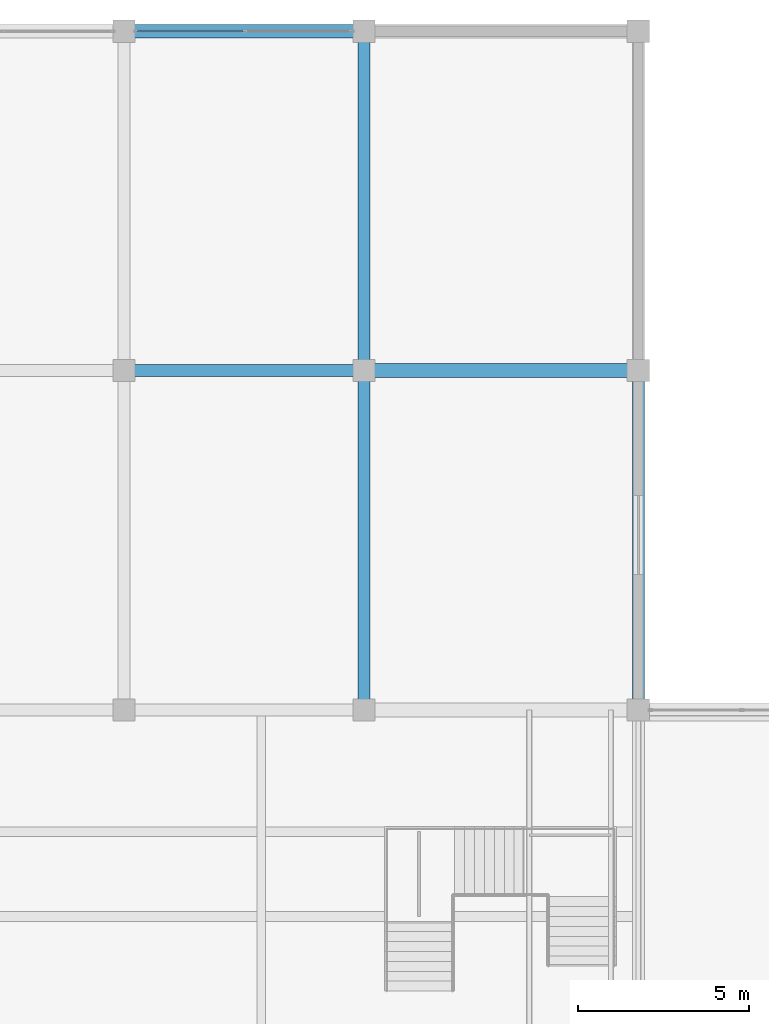
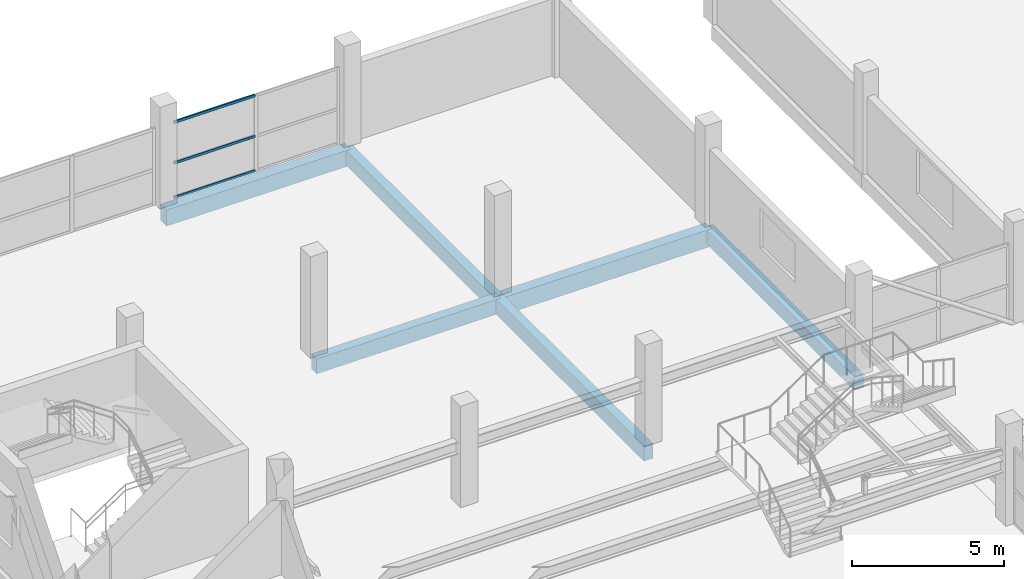
# One storey, part 46 of 70: 6 beams, 3 members, 1 element without a shape of its own.
"""IFC4 building model written with IfcOpenShell, lengths in metres."""

from ifc_helpers import new_model, si_unit, direction, frame, origin, origin_2d, place, context, subcontext, project, spatial, rectangle, hollow_rectangle, extrude, material, layer, layer_set, material_profile, profile_set, type_object, element, aggregate, save


model = new_model("IFC4")

# Units and contexts
model_context = context("Model", 3, precision=1e-05, world=origin(), true_north=direction((0.0, 1.0)))
body_context = subcontext(model_context, "Body", "Model", "MODEL_VIEW")
ifc_project = project(units=[si_unit("LENGTHUNIT", "METRE"), si_unit("AREAUNIT", "SQUARE_METRE"), si_unit("VOLUMEUNIT", "CUBIC_METRE"), si_unit("PLANEANGLEUNIT", "RADIAN"), si_unit("MASSUNIT", "GRAM", prefix="KILO")], contexts=[model_context])

# Site, building, storey
site_placement = place(None, origin())
site = spatial("IfcSite", under=ifc_project, at=site_placement, CompositionType="ELEMENT")
building_placement = place(site_placement, origin())
building = spatial("IfcBuilding", under=site, at=building_placement, Name="Sillaruma Civic Art Gallery", CompositionType="ELEMENT")
storey_placement = place(building_placement, frame((0.0, 0.0, 66.300048828125)))
storey = spatial("IfcBuildingStorey", under=building, at=storey_placement, Name="L13", CompositionType="ELEMENT", Elevation=66.300048828125)

# Beams
ifc_material_1 = material(Name="Concrete H35 (35 MPa)", Category="concrete")
ifc_material_profile_1 = material_profile(ifc_material_1, rectangle(XDim=0.35009765625, YDim=0.60009765625, at=origin_2d()), Name="RCB350x600")
ifc_profile_set_1 = profile_set([ifc_material_profile_1], Name="Concrete H35 (35 MPa)")
beam_type_1 = type_object("IfcBeamType", Name="BM-BEAM-RCB350x600", PredefinedType="BEAM", material=ifc_profile_set_1)
beam_1_placement = place(storey_placement, frame((77.0, 89.10009765625, -0.530029296875), z_axis=(1.0, 0.0, 0.0), x_axis=(0.0, 1.0, 0.0)))
element("IfcBeam", 1, at=beam_1_placement, inside=storey, type_object=beam_type_1, Name="Beam BM-06 (L12:10:H-J)", PredefinedType="BEAM", context=body_context, shape_type="SweptSolid", body=[
    extrude(rectangle(XDim=0.35009765625, YDim=0.60009765625, at=origin_2d()), origin(), (0.0, 0.0, 1.0), 7.0),
])
beam_2_placement = place(storey_placement, frame((84.0, 79.199951171875, -0.530029296875), z_axis=(0.0, 1.0, 0.0), x_axis=(-1.0, 0.0, 0.0)))
element("IfcBeam", 2, at=beam_2_placement, inside=storey, type_object=beam_type_1, Name="Beam BM-06 (L12:J:9-10)", PredefinedType="BEAM", context=body_context, shape_type="SweptSolid", body=[
    extrude(rectangle(XDim=0.35009765625, YDim=0.60009765625, at=origin_2d()), origin(), (0.0, 0.0, 1.0), 9.900146484375),
])
beam_3_placement = place(storey_placement, frame((84.0, 89.10009765625, -0.530029296875), z_axis=(0.0, 1.0, 0.0), x_axis=(-1.0, 0.0, 0.0)))
element("IfcBeam", 3, at=beam_3_placement, inside=storey, type_object=beam_type_1, Name="Beam BM-06 (L12:J:10-11)", PredefinedType="BEAM", context=body_context, shape_type="SweptSolid", body=[
    extrude(rectangle(XDim=0.35009765625, YDim=0.60009765625, at=origin_2d()), origin(), (0.0, 0.0, 1.0), 9.89990234375),
])
ifc_material_profile_2 = material_profile(ifc_material_1, rectangle(XDim=0.39990234375, YDim=0.699951171875, at=origin_2d()), Name="RCB400x700")
ifc_profile_set_2 = profile_set([ifc_material_profile_2], Name="Concrete H35 (35 MPa)")
beam_type_2 = type_object("IfcBeamType", Name="BM-BEAM-RCB400x700", PredefinedType="BEAM", material=ifc_profile_set_2)
beam_4_placement = place(storey_placement, frame((84.0, 89.10009765625, -0.580078125), z_axis=(1.0, 0.0, 0.0), x_axis=(0.0, 1.0, 0.0)))
element("IfcBeam", 4, at=beam_4_placement, inside=storey, type_object=beam_type_2, Name="Beam BM-04 (L12:10:J-K)", PredefinedType="BEAM", context=body_context, shape_type="SweptSolid", body=[
    extrude(rectangle(XDim=0.39990234375, YDim=0.699951171875, at=origin_2d()), origin(), (0.0, 0.0, 1.0), 8.0),
])
ifc_material_profile_3 = material_profile(ifc_material_1, rectangle(XDim=0.35009765625, YDim=0.550048828125, at=origin_2d()), Name="RCB350x550")
ifc_profile_set_3 = profile_set([ifc_material_profile_3], Name="Concrete H35 (35 MPa)")
beam_type_3 = type_object("IfcBeamType", Name="BM-SPANDREL-RCB350x550", PredefinedType="SPANDREL", material=ifc_profile_set_3)
beam_5_placement = place(storey_placement, frame((92.0, 79.199951171875, -0.505126953125), z_axis=(0.0, 1.0, 0.0), x_axis=(-1.0, 0.0, 0.0)))
element("IfcBeam", 5, at=beam_5_placement, inside=storey, type_object=beam_type_3, Name="Beam BS-04 (L12:K:9-10)", PredefinedType="SPANDREL", context=body_context, shape_type="SweptSolid", body=[
    extrude(rectangle(XDim=0.35009765625, YDim=0.550048828125, at=origin_2d()), origin(), (0.0, 0.0, 1.0), 9.900146484375),
])
ifc_material_profile_4 = material_profile(ifc_material_1, rectangle(XDim=0.39990234375, YDim=0.64990234375, at=origin_2d()), Name="RCB400x650")
ifc_profile_set_4 = profile_set([ifc_material_profile_4], Name="Concrete H35 (35 MPa)")
beam_type_4 = type_object("IfcBeamType", Name="BM-SPANDREL-RCB400x650", PredefinedType="SPANDREL", material=ifc_profile_set_4)
beam_6_placement = place(storey_placement, frame((77.0, 99.0, -0.554931640625), z_axis=(1.0, 0.0, 0.0), x_axis=(0.0, 1.0, 0.0)))
element("IfcBeam", 6, at=beam_6_placement, inside=storey, type_object=beam_type_4, Name="Beam BS-02 (L12:11:H-J)", PredefinedType="SPANDREL", context=body_context, shape_type="SweptSolid", body=[
    extrude(rectangle(XDim=0.39990234375, YDim=0.64990234375, at=origin_2d()), origin(), (0.0, 0.0, 1.0), 7.0),
])

# Curtain wall, members
ifc_material_2 = material(Name="Thermally Broken Extruded Aluminium 6063-T6", Category="aluminium")
ifc_layer = layer(ifc_material_2, 0.139892578125, Name="Thermally Broken Extruded Aluminium 6063-T6")
ifc_layer_set = layer_set([ifc_layer], Name="Thermally Broken Extruded Aluminium 6063-T6")
curtain_wall_type = type_object("IfcCurtainWallType", Name="CW-UNI-106", PredefinedType="NOTDEFINED", material=ifc_layer_set)
curtain_wall_placement = place(storey_placement, origin())
curtain_wall = element("IfcCurtainWall", 7, at=curtain_wall_placement, inside=storey, type_object=curtain_wall_type, Name="Unitised Curtain Wall CW-106 (CW-L13-WBN-3)", PredefinedType="NOTDEFINED")
ifc_material_profile_5 = material_profile(ifc_material_2, hollow_rectangle(XDim=0.06005859375, YDim=0.10009765625, WallThickness=0.003173828125, at=origin_2d()), Name="CWT60x100")
ifc_profile_set_5 = profile_set([ifc_material_profile_5], Name="Thermally Broken Extruded Aluminium 6063-T6")
member_type = type_object("IfcMemberType", Name="MEM-TRN-CWT60x100", PredefinedType="USERDEFINED", material=ifc_profile_set_5)
member_1_placement = place(storey_placement, frame((77.385009765625, 99.0, 0.030029296875), z_axis=(1.0, 0.0, 0.0), x_axis=(0.0, 1.0, 0.0)))
member_1 = element("IfcMember", 8, at=member_1_placement, type_object=member_type, Name="CW-106 transom 1.1", ObjectType="TRANSOM", PredefinedType="USERDEFINED", context=body_context, shape_type="SweptSolid", body=[
    extrude(hollow_rectangle(XDim=0.06005859375, YDim=0.10009765625, WallThickness=0.003173828125, at=origin_2d()), origin(), (0.0, 0.0, 1.0), 3.0849609375),
])
member_2_placement = place(storey_placement, frame((77.385009765625, 99.0, 1.416748046875), z_axis=(1.0, 0.0, 0.0), x_axis=(0.0, 1.0, 0.0)))
member_2 = element("IfcMember", 9, at=member_2_placement, type_object=member_type, Name="CW-106 transom 1.2", ObjectType="TRANSOM", PredefinedType="USERDEFINED", context=body_context, shape_type="SweptSolid", body=[
    extrude(hollow_rectangle(XDim=0.06005859375, YDim=0.10009765625, WallThickness=0.003173828125, at=origin_2d()), origin(), (0.0, 0.0, 1.0), 3.0849609375),
])
member_3_placement = place(storey_placement, frame((77.385009765625, 99.0, 3.050048828125), z_axis=(1.0, 0.0, 0.0), x_axis=(0.0, 1.0, 0.0)))
member_3 = element("IfcMember", 10, at=member_3_placement, type_object=member_type, Name="CW-106 transom 1.3", ObjectType="TRANSOM", PredefinedType="USERDEFINED", context=body_context, shape_type="SweptSolid", body=[
    extrude(hollow_rectangle(XDim=0.06005859375, YDim=0.10009765625, WallThickness=0.003173828125, at=origin_2d()), origin(), (0.0, 0.0, 1.0), 3.0849609375),
])
aggregate(curtain_wall, [member_1, member_2, member_3])

save(model, "model.ifc")
